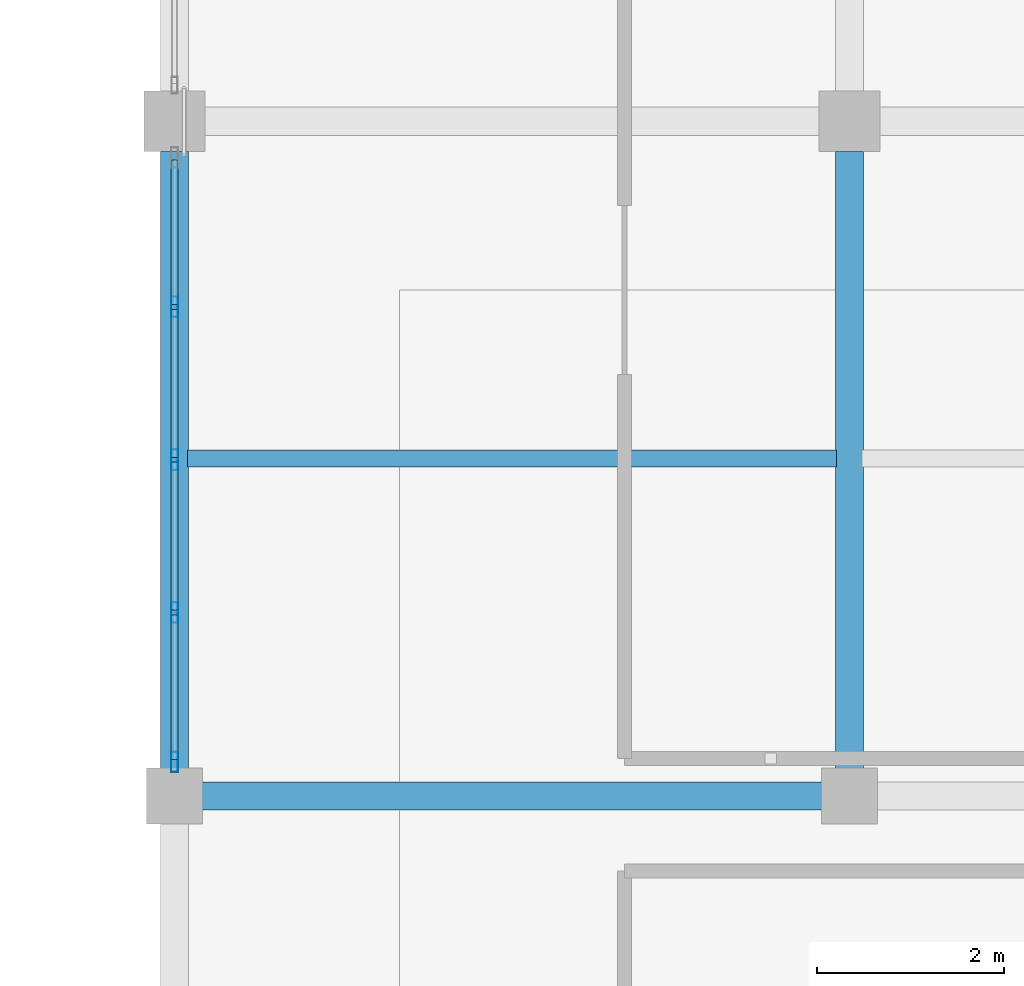
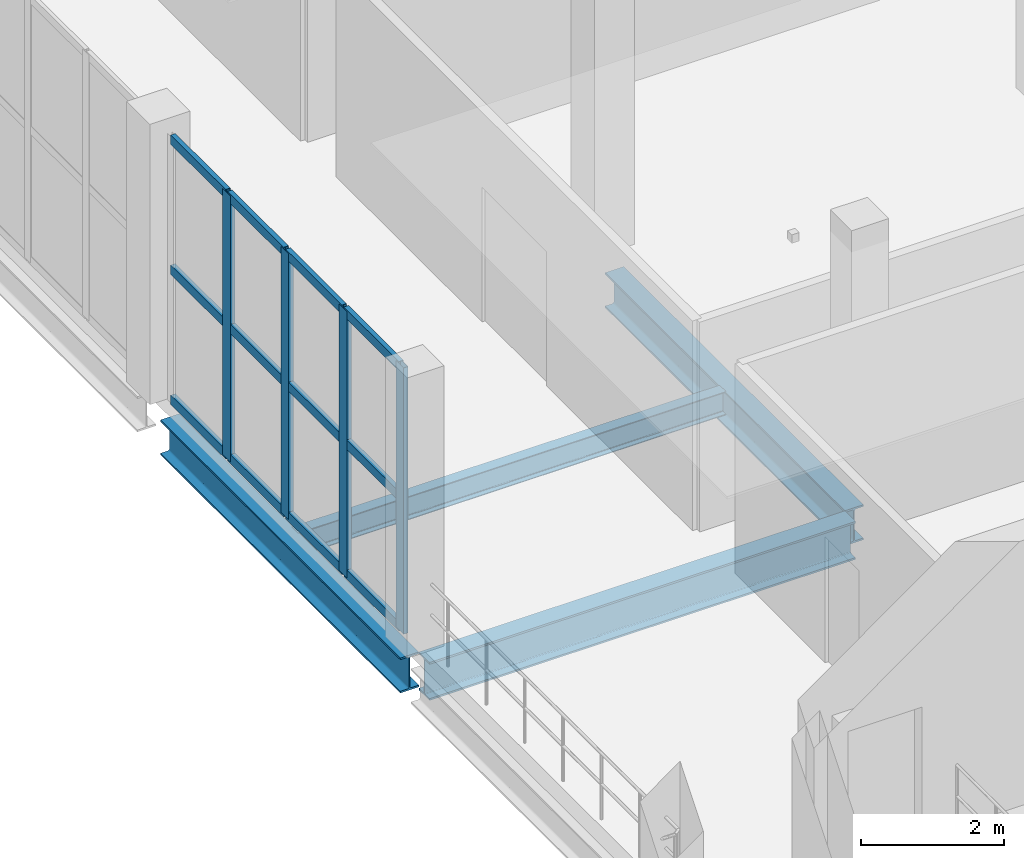
# One storey, part 56 of 105: 16 members, 4 beams, 1 element without a shape of its own.
"""IFC4 building model written with IfcOpenShell, lengths in metres."""

from ifc_helpers import new_model, si_unit, direction, frame, origin, origin_2d, place, context, subcontext, project, spatial, hollow_rectangle, i_section, extrude, material, material_profile, profile_set, type_object, element, aggregate, save


model = new_model("IFC4")

# Units and contexts
model_context = context("Model", 3, precision=1e-05, world=origin(), true_north=direction((0.0, 1.0)))
body_context = subcontext(model_context, "Body", "Model", "MODEL_VIEW")
ifc_project = project(units=[si_unit("LENGTHUNIT", "METRE"), si_unit("AREAUNIT", "SQUARE_METRE"), si_unit("VOLUMEUNIT", "CUBIC_METRE"), si_unit("PLANEANGLEUNIT", "RADIAN"), si_unit("MASSUNIT", "GRAM", prefix="KILO")], contexts=[model_context])

# Site, building, storey
site_placement = place(None, origin())
site = spatial("IfcSite", under=ifc_project, at=site_placement, CompositionType="ELEMENT")
building_placement = place(site_placement, origin())
building = spatial("IfcBuilding", under=site, at=building_placement, Name="Qandorah Velis Arena", CompositionType="ELEMENT")
storey_placement = place(building_placement, frame((0.0, 0.0, 13.800048828125)))
storey = spatial("IfcBuildingStorey", under=building, at=storey_placement, Name="L03", CompositionType="ELEMENT", Elevation=13.800048828125)

# Curtain wall, members
ifc_material_1 = material(Name="Solar-control low-E double glazing", Category="glass")
curtain_wall_type = type_object("IfcCurtainWallType", Name="ARC-CW-SYS09", PredefinedType="USERDEFINED", material=ifc_material_1)
curtain_wall_placement = place(storey_placement, origin())
curtain_wall = element("IfcCurtainWall", 1, at=curtain_wall_placement, inside=storey, type_object=curtain_wall_type, Name="Unitised curtain wall L03-129", ObjectType="UNITISED CURTAIN WALL", PredefinedType="USERDEFINED")
ifc_material_2 = material(Name="Champagne-bronze anodized aluminium 6063-T6", Category="aluminium")
ifc_material_profile_1 = material_profile(ifc_material_2, hollow_rectangle(XDim=0.074951171875, YDim=0.219970703125, WallThickness=0.00390625, at=origin_2d()), Name="ALU MULLION 75x220")
ifc_profile_set_1 = profile_set([ifc_material_profile_1], Name="Champagne-bronze anodized aluminium 6063-T6")
member_type_1 = type_object("IfcMemberType", Name="ARC-CWM-220", PredefinedType="MULLION", material=ifc_profile_set_1)
member_1_placement = place(storey_placement, frame((151.199951171875, 57.96240234375, -0.01513671875), z_axis=(0.0, 0.0, 1.0), x_axis=(-1.0, 0.0, 0.0)))
member_1 = element("IfcMember", 2, at=member_1_placement, type_object=member_type_1, Name="CW09 mullion 1", PredefinedType="MULLION", context=body_context, shape_type="SweptSolid", body=[
    extrude(hollow_rectangle(XDim=0.074951171875, YDim=0.219970703125, WallThickness=0.00390625, at=origin_2d()), origin(), (0.0, 0.0, 1.0), 4.56005859375),
])
member_2_placement = place(storey_placement, frame((151.199951171875, 59.55615234375, -0.01513671875), z_axis=(0.0, 0.0, 1.0), x_axis=(-1.0, 0.0, 0.0)))
member_2 = element("IfcMember", 3, at=member_2_placement, type_object=member_type_1, Name="CW09 mullion 2", PredefinedType="MULLION", context=body_context, shape_type="SweptSolid", body=[
    extrude(hollow_rectangle(XDim=0.074951171875, YDim=0.219970703125, WallThickness=0.00390625, at=origin_2d()), origin(), (0.0, 0.0, 1.0), 4.56005859375),
])
member_3_placement = place(storey_placement, frame((151.199951171875, 61.1875, -0.01513671875), z_axis=(0.0, 0.0, 1.0), x_axis=(-1.0, 0.0, 0.0)))
member_3 = element("IfcMember", 4, at=member_3_placement, type_object=member_type_1, Name="CW09 mullion 3", PredefinedType="MULLION", context=body_context, shape_type="SweptSolid", body=[
    extrude(hollow_rectangle(XDim=0.074951171875, YDim=0.219970703125, WallThickness=0.00390625, at=origin_2d()), origin(), (0.0, 0.0, 1.0), 4.56005859375),
])
member_4_placement = place(storey_placement, frame((151.199951171875, 62.81884765625, -0.01513671875), z_axis=(0.0, 0.0, 1.0), x_axis=(-1.0, 0.0, 0.0)))
member_4 = element("IfcMember", 5, at=member_4_placement, type_object=member_type_1, Name="CW09 mullion 4", PredefinedType="MULLION", context=body_context, shape_type="SweptSolid", body=[
    extrude(hollow_rectangle(XDim=0.074951171875, YDim=0.219970703125, WallThickness=0.00390625, at=origin_2d()), origin(), (0.0, 0.0, 1.0), 4.56005859375),
])
ifc_material_profile_2 = material_profile(ifc_material_2, hollow_rectangle(XDim=0.074951171875, YDim=0.159912109375, WallThickness=0.00341796875, at=origin_2d()), Name="ALU TRANSOM 75x160")
ifc_profile_set_2 = profile_set([ifc_material_profile_2], Name="Champagne-bronze anodized aluminium 6063-T6")
member_type_2 = type_object("IfcMemberType", Name="ARC-CWT-160", PredefinedType="USERDEFINED", material=ifc_profile_set_2)
member_5_placement = place(storey_placement, frame((151.199951171875, 57.988037109375, 0.037353515625), z_axis=(0.0, 1.0, 0.0), x_axis=(-1.0, 0.0, 0.0)))
member_5 = element("IfcMember", 6, at=member_5_placement, type_object=member_type_2, Name="CW09 transom 1.1", ObjectType="TRANSOM", PredefinedType="USERDEFINED", context=body_context, shape_type="SweptSolid", body=[
    extrude(hollow_rectangle(XDim=0.074951171875, YDim=0.159912109375, WallThickness=0.00341796875, at=origin_2d()), origin(), (0.0, 0.0, 1.0), 1.542724609375),
])
member_6_placement = place(storey_placement, frame((151.199951171875, 57.988037109375, 2.264892578125), z_axis=(0.0, 1.0, 0.0), x_axis=(-1.0, 0.0, 0.0)))
member_6 = element("IfcMember", 7, at=member_6_placement, type_object=member_type_2, Name="CW09 transom 1.2", ObjectType="TRANSOM", PredefinedType="USERDEFINED", context=body_context, shape_type="SweptSolid", body=[
    extrude(hollow_rectangle(XDim=0.074951171875, YDim=0.159912109375, WallThickness=0.00341796875, at=origin_2d()), origin(), (0.0, 0.0, 1.0), 1.542724609375),
])
member_7_placement = place(storey_placement, frame((151.199951171875, 57.988037109375, 4.492431640625), z_axis=(0.0, 1.0, 0.0), x_axis=(-1.0, 0.0, 0.0)))
member_7 = element("IfcMember", 8, at=member_7_placement, type_object=member_type_2, Name="CW09 transom 1.3", ObjectType="TRANSOM", PredefinedType="USERDEFINED", context=body_context, shape_type="SweptSolid", body=[
    extrude(hollow_rectangle(XDim=0.074951171875, YDim=0.159912109375, WallThickness=0.00341796875, at=origin_2d()), origin(), (0.0, 0.0, 1.0), 1.542724609375),
])
member_8_placement = place(storey_placement, frame((151.199951171875, 59.581787109375, 0.037353515625), z_axis=(0.0, 1.0, 0.0), x_axis=(-1.0, 0.0, 0.0)))
member_8 = element("IfcMember", 9, at=member_8_placement, type_object=member_type_2, Name="CW09 transom 2.1", ObjectType="TRANSOM", PredefinedType="USERDEFINED", context=body_context, shape_type="SweptSolid", body=[
    extrude(hollow_rectangle(XDim=0.074951171875, YDim=0.159912109375, WallThickness=0.00341796875, at=origin_2d()), origin(), (0.0, 0.0, 1.0), 1.580322265625),
])
member_9_placement = place(storey_placement, frame((151.199951171875, 59.581787109375, 2.264892578125), z_axis=(0.0, 1.0, 0.0), x_axis=(-1.0, 0.0, 0.0)))
member_9 = element("IfcMember", 10, at=member_9_placement, type_object=member_type_2, Name="CW09 transom 2.2", ObjectType="TRANSOM", PredefinedType="USERDEFINED", context=body_context, shape_type="SweptSolid", body=[
    extrude(hollow_rectangle(XDim=0.074951171875, YDim=0.159912109375, WallThickness=0.00341796875, at=origin_2d()), origin(), (0.0, 0.0, 1.0), 1.580322265625),
])
member_10_placement = place(storey_placement, frame((151.199951171875, 59.581787109375, 4.492431640625), z_axis=(0.0, 1.0, 0.0), x_axis=(-1.0, 0.0, 0.0)))
member_10 = element("IfcMember", 11, at=member_10_placement, type_object=member_type_2, Name="CW09 transom 2.3", ObjectType="TRANSOM", PredefinedType="USERDEFINED", context=body_context, shape_type="SweptSolid", body=[
    extrude(hollow_rectangle(XDim=0.074951171875, YDim=0.159912109375, WallThickness=0.00341796875, at=origin_2d()), origin(), (0.0, 0.0, 1.0), 1.580322265625),
])
member_11_placement = place(storey_placement, frame((151.199951171875, 61.212890625, 0.037353515625), z_axis=(0.0, 1.0, 0.0), x_axis=(-1.0, 0.0, 0.0)))
member_11 = element("IfcMember", 12, at=member_11_placement, type_object=member_type_2, Name="CW09 transom 3.1", ObjectType="TRANSOM", PredefinedType="USERDEFINED", context=body_context, shape_type="SweptSolid", body=[
    extrude(hollow_rectangle(XDim=0.074951171875, YDim=0.159912109375, WallThickness=0.00341796875, at=origin_2d()), origin(), (0.0, 0.0, 1.0), 1.580322265625),
])
member_12_placement = place(storey_placement, frame((151.199951171875, 61.212890625, 2.264892578125), z_axis=(0.0, 1.0, 0.0), x_axis=(-1.0, 0.0, 0.0)))
member_12 = element("IfcMember", 13, at=member_12_placement, type_object=member_type_2, Name="CW09 transom 3.2", ObjectType="TRANSOM", PredefinedType="USERDEFINED", context=body_context, shape_type="SweptSolid", body=[
    extrude(hollow_rectangle(XDim=0.074951171875, YDim=0.159912109375, WallThickness=0.00341796875, at=origin_2d()), origin(), (0.0, 0.0, 1.0), 1.580322265625),
])
member_13_placement = place(storey_placement, frame((151.199951171875, 61.212890625, 4.492431640625), z_axis=(0.0, 1.0, 0.0), x_axis=(-1.0, 0.0, 0.0)))
member_13 = element("IfcMember", 14, at=member_13_placement, type_object=member_type_2, Name="CW09 transom 3.3", ObjectType="TRANSOM", PredefinedType="USERDEFINED", context=body_context, shape_type="SweptSolid", body=[
    extrude(hollow_rectangle(XDim=0.074951171875, YDim=0.159912109375, WallThickness=0.00341796875, at=origin_2d()), origin(), (0.0, 0.0, 1.0), 1.580322265625),
])
member_14_placement = place(storey_placement, frame((151.199951171875, 62.84423828125, 0.037353515625), z_axis=(0.0, 1.0, 0.0), x_axis=(-1.0, 0.0, 0.0)))
member_14 = element("IfcMember", 15, at=member_14_placement, type_object=member_type_2, Name="CW09 transom 4.1", ObjectType="TRANSOM", PredefinedType="USERDEFINED", context=body_context, shape_type="SweptSolid", body=[
    extrude(hollow_rectangle(XDim=0.074951171875, YDim=0.159912109375, WallThickness=0.00341796875, at=origin_2d()), origin(), (0.0, 0.0, 1.0), 1.542724609375),
])
member_15_placement = place(storey_placement, frame((151.199951171875, 62.84423828125, 2.264892578125), z_axis=(0.0, 1.0, 0.0), x_axis=(-1.0, 0.0, 0.0)))
member_15 = element("IfcMember", 16, at=member_15_placement, type_object=member_type_2, Name="CW09 transom 4.2", ObjectType="TRANSOM", PredefinedType="USERDEFINED", context=body_context, shape_type="SweptSolid", body=[
    extrude(hollow_rectangle(XDim=0.074951171875, YDim=0.159912109375, WallThickness=0.00341796875, at=origin_2d()), origin(), (0.0, 0.0, 1.0), 1.542724609375),
])
member_16_placement = place(storey_placement, frame((151.199951171875, 62.84423828125, 4.492431640625), z_axis=(0.0, 1.0, 0.0), x_axis=(-1.0, 0.0, 0.0)))
member_16 = element("IfcMember", 17, at=member_16_placement, type_object=member_type_2, Name="CW09 transom 4.3", ObjectType="TRANSOM", PredefinedType="USERDEFINED", context=body_context, shape_type="SweptSolid", body=[
    extrude(hollow_rectangle(XDim=0.074951171875, YDim=0.159912109375, WallThickness=0.00341796875, at=origin_2d()), origin(), (0.0, 0.0, 1.0), 1.542724609375),
])
aggregate(curtain_wall, [member_1, member_2, member_3, member_4, member_5, member_6, member_7, member_8, member_9, member_10, member_11, member_12, member_13, member_14, member_15, member_16])

# Beams
ifc_material_3 = material(Name="Steel S355", Category="steel")
ifc_material_profile_3 = material_profile(ifc_material_3, i_section(OverallWidth=0.300048828125, OverallDepth=0.60009765625, WebThickness=0.015380859375, FlangeThickness=0.030029296875, FilletRadius=0.027099609375, at=origin_2d()), Name="HEB 600")
ifc_profile_set_3 = profile_set([ifc_material_profile_3], Name="Steel S355")
beam_type_1 = type_object("IfcBeamType", Name="STR-BM-HEB600", PredefinedType="BEAM", material=ifc_profile_set_3)
for number, where, z_axis, x_axis, name in (
    (18, (151.199951171875, 57.75, -0.6201171875), (0.0, 1.0, 0.0), (-1.0, 0.0, 0.0), "Primary floor girder L03 Y-328"),
    (19, (158.39990234375, 57.75, -0.6201171875), (0.0, 1.0, 0.0), (-1.0, 0.0, 0.0), "Primary floor girder L03 Y-332"),
):
    element("IfcBeam", number, at=place(storey_placement, frame(where, z_axis=z_axis, x_axis=x_axis)), inside=storey, type_object=beam_type_1, Name=name, PredefinedType="BEAM", context=body_context, shape_type="SweptSolid", body=[
        extrude(i_section(OverallWidth=0.300048828125, OverallDepth=0.60009765625, WebThickness=0.015380859375, FlangeThickness=0.030029296875, FilletRadius=0.027099609375, at=origin_2d()), origin(), (0.0, 0.0, 1.0), 6.72509765625),
    ])
ifc_material_profile_4 = material_profile(ifc_material_3, i_section(OverallWidth=0.300048828125, OverallDepth=0.64990234375, WebThickness=0.01611328125, FlangeThickness=0.031005859375, FilletRadius=0.027099609375, at=origin_2d()), Name="HEB 650")
ifc_profile_set_4 = profile_set([ifc_material_profile_4], Name="Steel S355")
beam_type_2 = type_object("IfcBeamType", Name="STR-BM-HEB650", PredefinedType="BEAM", material=ifc_profile_set_4)
beam_1_placement = place(storey_placement, frame((151.35009765625, 57.60009765625, -0.64501953125), z_axis=(1.0, 0.0, 0.0), x_axis=(0.0, 1.0, 0.0)))
element("IfcBeam", 20, at=beam_1_placement, inside=storey, type_object=beam_type_2, Name="Primary floor girder L03 X-087", PredefinedType="BEAM", context=body_context, shape_type="SweptSolid", body=[
    extrude(i_section(OverallWidth=0.300048828125, OverallDepth=0.64990234375, WebThickness=0.01611328125, FlangeThickness=0.031005859375, FilletRadius=0.027099609375, at=origin_2d()), origin(), (0.0, 0.0, 1.0), 6.89990234375),
])
ifc_material_profile_5 = material_profile(ifc_material_3, i_section(OverallWidth=0.179931640625, OverallDepth=0.39990234375, WebThickness=0.008544921875, FlangeThickness=0.013427734375, FilletRadius=0.02099609375, at=origin_2d()), Name="IPE 400")
ifc_profile_set_5 = profile_set([ifc_material_profile_5], Name="Steel S355")
beam_type_3 = type_object("IfcBeamType", Name="STR-JST-IPE400", PredefinedType="JOIST", material=ifc_profile_set_5)
beam_2_placement = place(storey_placement, frame((151.3349609375, 61.199951171875, -0.52001953125), z_axis=(1.0, 0.0, 0.0), x_axis=(0.0, 1.0, 0.0)))
element("IfcBeam", 21, at=beam_2_placement, inside=storey, type_object=beam_type_3, Name="Secondary floor joist L03-098", PredefinedType="JOIST", context=body_context, shape_type="SweptSolid", body=[
    extrude(i_section(OverallWidth=0.179931640625, OverallDepth=0.39990234375, WebThickness=0.008544921875, FlangeThickness=0.013427734375, FilletRadius=0.02099609375, at=origin_2d()), origin(), (0.0, 0.0, 1.0), 6.929931640625),
])

save(model, "model.ifc")
